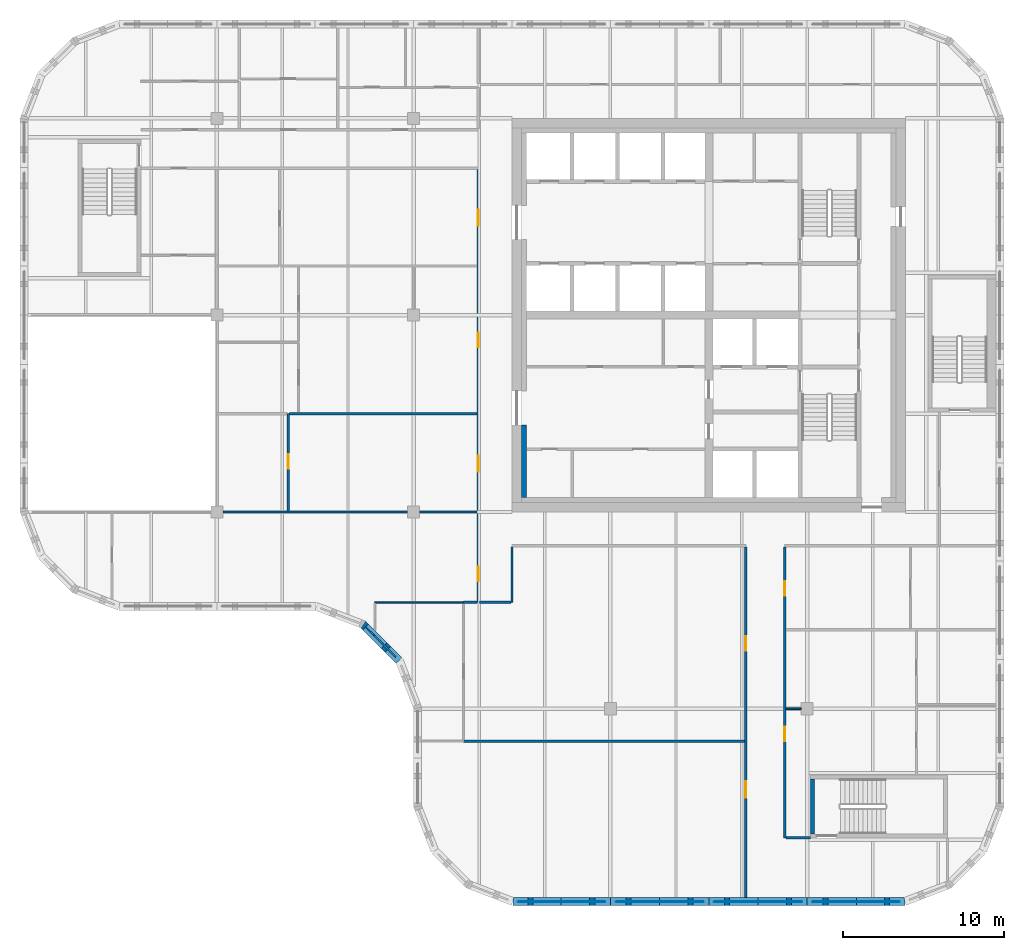
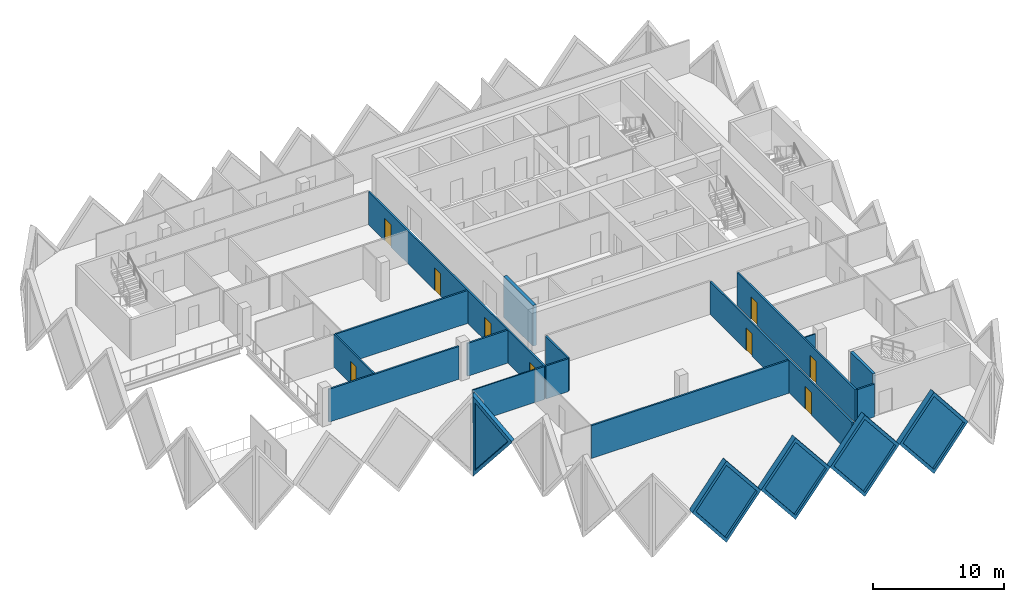
# One storey, part 4 of 11: 21 walls, 9 doors, 5 plates, 14 openings.
"""IFC4 building model written with IfcOpenShell, lengths in metres."""

import ifcopenshell
import ifcopenshell.guid

model = None  # the IFC model being written
_history = None  # IfcOwnerHistory: only IFC2X3 demands one
_inside = {}  # id of a spatial element -> (the spatial element, [elements in it])
_under = {}  # id of a project, library or spatial element -> (it, [spatial elements below it])
_declared = {}  # id of a project -> (the project, [libraries it declares])
_typed = {}  # id of a type object -> (the type object, [elements of that type])
_made_of = {}  # id of a material, layer set ... -> (it, [elements and type objects made of it])


def new_model(schema):
    """Start an empty IFC model of exactly this schema.

    Asked for "IFC4X3", IfcOpenShell would pick the latest addendum, in which some entities
    have other attributes; the version numbers below select the first issue.
    IFC2X3 requires an IfcOwnerHistory on every rooted entity: one is made here for all.
    """
    global model, _history
    if schema == "IFC4X3":
        model = ifcopenshell.file(schema_version=(4, 3, 0, 0))
    else:
        model = ifcopenshell.file(schema=schema)
    _inside.clear()
    _under.clear()
    _declared.clear()
    _typed.clear()
    _made_of.clear()
    _history = None
    if model.schema == "IFC2X3":
        org = make("IfcOrganization", Name="unknown")
        user = make(
            "IfcPersonAndOrganization",
            ThePerson=make("IfcPerson", FamilyName="unknown"),
            TheOrganization=org,
        )
        app = make(
            "IfcApplication",
            ApplicationDeveloper=org,
            Version="unknown",
            ApplicationFullName="unknown",
            ApplicationIdentifier="unknown",
        )
        _history = make(
            "IfcOwnerHistory",
            OwningUser=user,
            OwningApplication=app,
            ChangeAction="ADDED",
            CreationDate=0,
        )
    return model


def make(cls, **values):
    """One entity of the class cls with the attributes given. An attribute that is None is left unset."""
    return model.create_entity(
        cls, **{name: value for name, value in values.items() if value is not None}
    )


def rooted(cls, **values):
    """An entity with a GlobalId (a new one), such as an element, a storey or a relation."""
    return make(cls, GlobalId=ifcopenshell.guid.new(), OwnerHistory=_history, **values)


def si_unit(unit_type, name, prefix=None):
    """IfcSIUnit, for example si_unit("LENGTHUNIT", "METRE", prefix="MILLI")."""
    return make("IfcSIUnit", UnitType=unit_type, Prefix=prefix, Name=name)


def assignment(units):
    """IfcUnitAssignment: the units of a project."""
    return None if units is None else make("IfcUnitAssignment", Units=units)


def point(xyz):
    """IfcCartesianPoint."""
    return None if xyz is None else make("IfcCartesianPoint", Coordinates=xyz)


def direction(xyz):
    """IfcDirection."""
    return None if xyz is None else make("IfcDirection", DirectionRatios=xyz)


def frame(location, z_axis=None, x_axis=None):
    """IfcAxis2Placement3D, a coordinate frame: its origin and axes. An axis left out is left unset."""
    return make(
        "IfcAxis2Placement3D",
        Location=point(location),
        Axis=direction(z_axis),
        RefDirection=direction(x_axis),
    )


def frame_2d(location, x_axis=None):
    """IfcAxis2Placement2D, a coordinate frame in the plane: its origin and x axis."""
    return make(
        "IfcAxis2Placement2D", Location=point(location), RefDirection=direction(x_axis)
    )


def origin():
    """The frame at (0, 0, 0) with its axes left unset."""
    return frame((0.0, 0.0, 0.0))


def place(relative_to, where):
    """IfcLocalPlacement: puts the frame where relative to a parent placement (None: the world)."""
    return make(
        "IfcLocalPlacement", PlacementRelTo=relative_to, RelativePlacement=where
    )


def context(
    kind, dimensions, precision=None, world=None, true_north=None, identifier=None
):
    """IfcGeometricRepresentationContext, for example the 3D "Model" context."""
    return make(
        "IfcGeometricRepresentationContext",
        ContextIdentifier=identifier,
        ContextType=kind,
        CoordinateSpaceDimension=dimensions,
        Precision=precision,
        WorldCoordinateSystem=world,
        TrueNorth=true_north,
    )


def subcontext(parent, identifier, kind, view, scale=None):
    """IfcGeometricRepresentationSubContext, for example "Body" below "Model"."""
    return make(
        "IfcGeometricRepresentationSubContext",
        ContextIdentifier=identifier,
        ContextType=kind,
        ParentContext=parent,
        TargetScale=scale,
        TargetView=view,
    )


def project(units=None, contexts=None):
    """IfcProject with its units and contexts."""
    return rooted(
        "IfcProject",
        Name="project",
        RepresentationContexts=contexts,
        UnitsInContext=assignment(units),
    )


def spatial(cls, under=None, at=None, **own):
    """A site, building, storey or space (cls), placed at a placement, below another one or the project."""
    s = rooted(cls, ObjectPlacement=at, **own)
    if under is not None:
        _under.setdefault(under.id(), (under, []))[1].append(s)
    return s


def polyline(points):
    """IfcPolyline through the points."""
    return make("IfcPolyline", Points=[point(p) for p in points])


def profile(cls, at=None, kind="AREA", **sizes):
    """A parametric profile (cls). Its sizes go by their IFC names, for example OverallWidth=200.0."""
    return make(cls, ProfileType=kind, Position=at, **sizes)


def rectangle(**sizes):
    """IfcRectangleProfileDef."""
    return profile("IfcRectangleProfileDef", **sizes)


def outline(outer, holes=None, kind="AREA"):
    """IfcArbitraryClosedProfileDef: a profile drawn as a closed curve; with holes, ...WithVoids."""
    if holes is None:
        return make("IfcArbitraryClosedProfileDef", ProfileType=kind, OuterCurve=outer)
    return make(
        "IfcArbitraryProfileDefWithVoids",
        ProfileType=kind,
        OuterCurve=outer,
        InnerCurves=holes,
    )


def extrude(swept, where, along, depth):
    """IfcExtrudedAreaSolid: the profile swept, set in the frame where, extruded along a direction by depth."""
    return make(
        "IfcExtrudedAreaSolid",
        SweptArea=swept,
        Position=where,
        ExtrudedDirection=direction(along),
        Depth=depth,
    )


def faces_of(points, faces, orient=None, outer=None):
    """IfcFace entities. A face is a list of loops; a loop is a list of indices into points, from 0.

    orient and outer hold one flag for each loop. By default every Orientation is true, the
    first loop of a face is its IfcFaceOuterBound and the others are IfcFaceBound.
    """
    made = []
    for i, loops in enumerate(faces):
        bounds = []
        for j, loop in enumerate(loops):
            is_outer = j == 0 if outer is None else outer[i][j]
            bounds.append(
                make(
                    "IfcFaceOuterBound" if is_outer else "IfcFaceBound",
                    Bound=make("IfcPolyLoop", Polygon=[points[k] for k in loop]),
                    Orientation=True if orient is None else orient[i][j],
                )
            )
        made.append(make("IfcFace", Bounds=bounds))
    return made


def faceted_brep(points, faces, orient=None, outer=None, voids=None):
    """IfcFacetedBrep: a solid bounded by flat faces; with voids (closed shells), ...WithVoids."""
    shared = [point(p) for p in points]
    hull = make("IfcClosedShell", CfsFaces=faces_of(shared, faces, orient, outer))
    if voids is None:
        return make("IfcFacetedBrep", Outer=hull)
    return make(
        "IfcFacetedBrepWithVoids",
        Outer=hull,
        Voids=[
            make(cls, CfsFaces=faces_of(shared, fs, o, b)) for cls, fs, o, b in voids
        ],
    )


def shape(context_of_items, identifier, shape_type, items):
    """IfcShapeRepresentation: the items that make up one representation, for example the "Body"."""
    return make(
        "IfcShapeRepresentation",
        ContextOfItems=context_of_items,
        RepresentationIdentifier=identifier,
        RepresentationType=shape_type,
        Items=items,
    )


def source(mapping_origin, context_of_items, identifier, shape_type, items):
    """IfcRepresentationMap: a shape defined once, which mapped items show again and again."""
    return make(
        "IfcRepresentationMap",
        MappingOrigin=mapping_origin,
        MappedRepresentation=shape(context_of_items, identifier, shape_type, items),
    )


def transform(
    local_origin,
    x_axis=None,
    y_axis=None,
    z_axis=None,
    scale=None,
    scale2=None,
    scale3=None,
    uniform=True,
):
    """IfcCartesianTransformationOperator3D, or its non-uniform kind. x_axis, y_axis, z_axis: its Axis1, 2, 3."""
    if uniform:
        return make(
            "IfcCartesianTransformationOperator3D",
            Axis1=direction(x_axis),
            Axis2=direction(y_axis),
            LocalOrigin=point(local_origin),
            Scale=scale,
            Axis3=direction(z_axis),
        )
    return make(
        "IfcCartesianTransformationOperator3DnonUniform",
        Axis1=direction(x_axis),
        Axis2=direction(y_axis),
        LocalOrigin=point(local_origin),
        Scale=scale,
        Axis3=direction(z_axis),
        Scale2=scale2,
        Scale3=scale3,
    )


def mapped(mapping_source, mapping_target):
    """IfcMappedItem: shows the shape of a source again, moved by a transform."""
    return make(
        "IfcMappedItem", MappingSource=mapping_source, MappingTarget=mapping_target
    )


def material(Name=None, Category=None):
    """IfcMaterial."""
    return make("IfcMaterial", Name=Name, Category=Category)


def layer(
    of_material, thickness, ventilated=None, Name=None, Category=None, Priority=None
):
    """IfcMaterialLayer: one layer of a wall or slab, of a material (None: an air gap)."""
    return make(
        "IfcMaterialLayer",
        Material=of_material,
        LayerThickness=thickness,
        IsVentilated=ventilated,
        Name=Name,
        Category=Category,
        Priority=Priority,
    )


def layer_set(layers, Name=None):
    """IfcMaterialLayerSet."""
    return make("IfcMaterialLayerSet", MaterialLayers=layers, LayerSetName=Name)


def made_of(thing, what):
    """Note that an element or type object is made of a material, layer set ...; save() writes the relation."""
    if what is not None:
        _made_of.setdefault(what.id(), (what, []))[1].append(thing)
    return thing


def type_object(cls, material=None, **own):
    """A type object (cls), such as IfcWallType, which elements share."""
    return made_of(rooted(cls, **own), material)


def element(
    cls,
    number,
    at=None,
    inside=None,
    cuts=None,
    type_object=None,
    material=None,
    context=None,
    identifier="Body",
    shape_type=None,
    held_by="IfcProductDefinitionShape",
    body=None,
    shapes=None,
    **own,
):
    """One element of the class cls, such as IfcWall. Its Tag is "e" and its number.

    at: its placement. inside: the storey or other place that contains it. cuts: it is an
    opening in that element (IfcRelVoidsElement). A single representation is given by context,
    identifier, shape_type and body (its items); several are given by shapes. held_by: the class
    of the entity that holds the representations. save() writes the other relations.
    """
    e = rooted(cls, Tag="e%d" % number, ObjectPlacement=at, **own)
    if body is not None:
        shapes = [shape(context, identifier, shape_type, body)]
    if shapes is not None:
        e.Representation = make(held_by, Representations=shapes)
    if inside is not None:
        _inside.setdefault(inside.id(), (inside, []))[1].append(e)
    if cuts is not None:
        rooted(
            "IfcRelVoidsElement", RelatingBuildingElement=cuts, RelatedOpeningElement=e
        )
    if type_object is not None:
        _typed.setdefault(type_object.id(), (type_object, []))[1].append(e)
    return made_of(e, material)


def fill(opening, filler):
    """IfcRelFillsElement: the door or window that sits in an opening."""
    return rooted(
        "IfcRelFillsElement",
        RelatingOpeningElement=opening,
        RelatedBuildingElement=filler,
    )


def aggregate(whole, parts):
    """IfcRelAggregates: a whole, such as a stair, and the parts it consists of."""
    return rooted("IfcRelAggregates", RelatingObject=whole, RelatedObjects=parts)


def save(model, path):
    """Write the relations noted so far, then the file.

    IfcRelAggregates (storeys below a building ...), IfcRelContainedInSpatialStructure (elements
    in a storey), IfcRelDefinesByType, IfcRelAssociatesMaterial and IfcRelDeclares: one each for
    every whole, place, type object, material and project.
    """
    for whole, parts in _under.values():
        aggregate(whole, parts)
    for where, things in _inside.values():
        rooted(
            "IfcRelContainedInSpatialStructure",
            RelatedElements=things,
            RelatingStructure=where,
        )
    for kind, things in _typed.values():
        rooted("IfcRelDefinesByType", RelatedObjects=things, RelatingType=kind)
    for what, things in _made_of.values():
        rooted("IfcRelAssociatesMaterial", RelatedObjects=things, RelatingMaterial=what)
    for by, libraries in _declared.values():
        rooted("IfcRelDeclares", RelatingContext=by, RelatedDefinitions=libraries)
    model.write(path)


model = new_model("IFC4")

# Units and contexts
model_context = context("Model", 3, precision=1e-05, world=origin(), true_north=direction((0.0, 1.0)))
body_context = subcontext(model_context, "Body", "Model", "MODEL_VIEW")
ifc_project = project(units=[si_unit("LENGTHUNIT", "METRE"), si_unit("AREAUNIT", "SQUARE_METRE"), si_unit("VOLUMEUNIT", "CUBIC_METRE"), si_unit("PLANEANGLEUNIT", "RADIAN"), si_unit("MASSUNIT", "GRAM", prefix="KILO")], contexts=[model_context])

# Site, building, storey
site_placement = place(None, origin())
site = spatial("IfcSite", under=ifc_project, at=site_placement, CompositionType="ELEMENT")
building_placement = place(site_placement, origin())
building = spatial("IfcBuilding", under=site, at=building_placement, Name="Tessera Gate Towers", CompositionType="ELEMENT")
storey_placement = place(building_placement, frame((0.0, 0.0, 166.800048828125)))
storey = spatial("IfcBuildingStorey", under=building, at=storey_placement, Name="L41", CompositionType="ELEMENT", Elevation=166.800048828125)

# Walls
ifc_material_1 = material(Name="Concrete C40/50", Category="concrete")
ifc_layer_1 = layer(ifc_material_1, 0.25)
ifc_layer_set_1 = layer_set([ifc_layer_1], Name="CORE ENCLOSURE WALL 250")
wall_type_1 = type_object("IfcWallType", Name="CORE ENCLOSURE WALL 250", PredefinedType="SOLIDWALL", material=ifc_layer_set_1)
wall_1_placement = place(storey_placement, frame((49.125, 4.449951171875, 0.0), z_axis=(0.0, 0.0, 1.0), x_axis=(0.0, 1.0, 0.0)))
element("IfcWall", 1, at=wall_1_placement, inside=storey, type_object=wall_type_1, Name="L41 ST4 enclosure wall", PredefinedType="SOLIDWALL", context=body_context, shape_type="SweptSolid", body=[
    extrude(rectangle(XDim=3.400146484375, YDim=0.25, at=frame_2d((1.7001953125, 0.0))), origin(), (0.0, 0.0, 1.0), 3.800048828125),
])
ifc_material_2 = material(Name="Concrete C50/60", Category="concrete")
ifc_layer_2 = layer(ifc_material_2, 0.300048828125)
ifc_layer_set_2 = layer_set([ifc_layer_2], Name="CORE WALL THICKENING 300")
wall_type_2 = type_object("IfcWallType", Name="CORE WALL THICKENING 300", PredefinedType="SOLIDWALL", material=ifc_layer_set_2)
wall_2_placement = place(storey_placement, frame((31.25, 25.300048828125, 0.0), z_axis=(0.0, 0.0, 1.0), x_axis=(0.0, 1.0, 0.0)))
element("IfcWall", 2, at=wall_2_placement, inside=storey, type_object=wall_type_2, Name="Core wall thickening W L41", PredefinedType="SOLIDWALL", context=body_context, shape_type="SweptSolid", body=[
    extrude(rectangle(XDim=4.5, YDim=0.300048828125, at=frame_2d((2.25, 0.0))), origin(), (0.0, 0.0, 1.0), 3.800048828125),
])

# Wall, openings, doors
ifc_material_3 = material(Name="Gypsum board on steel studs, mineral wool", Category="steel")
ifc_layer_3 = layer(ifc_material_3, 0.14990234375)
ifc_layer_set_3 = layer_set([ifc_layer_3], Name="CORRIDOR WALL 150")
wall_type_3 = type_object("IfcWallType", Name="CORRIDOR WALL 150", PredefinedType="PARTITIONING", material=ifc_layer_set_3)
wall_3_placement = place(storey_placement, frame((45.0, 0.5, 0.0), z_axis=(0.0, 0.0, 1.0), x_axis=(0.0, 1.0, 0.0)))
wall_3 = element("IfcWall", 3, at=wall_3_placement, inside=storey, type_object=wall_type_3, Name="T1-L41-PW-001", PredefinedType="PARTITIONING", context=body_context, shape_type="SweptSolid", body=[
    extrude(rectangle(XDim=21.72412109375, YDim=0.14990234375, at=frame_2d((10.862060546875, 0.0))), origin(), (0.0, 0.0, 1.0), 3.06689453125),
])
shared_shape_1 = source(origin(), body_context, "Body", "SweptSolid", [
    extrude(rectangle(XDim=1.0, YDim=2.10009765625, at=frame_2d((0.5, 1.050048828125))), frame((0.0, 0.0849609375, 0.0), z_axis=(0.0, -1.0, 0.0), x_axis=(1.0, 0.0, 0.0)), (0.0, 0.0, 1.0), 0.169921875),
])
opening_1_placement = place(wall_3_placement, frame((6.199951171875, 0.0, 0.0)))
opening_1 = element("IfcOpeningElement", 4, at=opening_1_placement, cuts=wall_3, Name="Opening D2100FD60-A15-02", PredefinedType="OPENING", context=body_context, shape_type="MappedRepresentation", body=[
    mapped(shared_shape_1, transform((0.0, 0.0, 0.0), scale=1.0)),
])
shared_shape_2 = source(origin(), body_context, "Body", "SweptSolid", [
    extrude(rectangle(XDim=0.89990234375, YDim=2.10009765625, at=frame_2d((0.449951171875, 1.050048828125))), frame((0.0, 0.0849609375, 0.0), z_axis=(0.0, -1.0, 0.0), x_axis=(1.0, 0.0, 0.0)), (0.0, 0.0, 1.0), 0.169921875),
])
opening_2_placement = place(wall_3_placement, frame((15.300048828125, 0.0, 0.0)))
opening_2 = element("IfcOpeningElement", 5, at=opening_2_placement, cuts=wall_3, Name="Opening D890FD60-A15-09", PredefinedType="OPENING", context=body_context, shape_type="MappedRepresentation", body=[
    mapped(shared_shape_2, transform((0.0, 0.0, 0.0), scale=1.0)),
])
ifc_material_4 = material(Name="Timber door leaf in steel frame", Category="steel")
door_type_1 = type_object("IfcDoorType", Name="CORRIDOR DOOR 900 FD60", OperationType="NOTDEFINED", PredefinedType="DOOR", material=ifc_material_4)
shared_shape_3 = source(origin(), body_context, "Body", "SweptSolid", [
    extrude(rectangle(XDim=0.89990234375, YDim=2.10009765625, at=frame_2d((0.449951171875, 1.050048828125))), frame((0.0, 0.02490234375, 0.0), z_axis=(0.0, -1.0, 0.0), x_axis=(1.0, 0.0, 0.0)), (0.0, 0.0, 1.0), 0.050048828125),
])
door_1_placement = place(opening_2_placement, origin())
door_1 = element("IfcDoor", 6, at=door_1_placement, inside=storey, type_object=door_type_1, Name="T1-L41-PD-026", OperationType="SINGLE_SWING_LEFT", OverallHeight=2.10009765625, OverallWidth=0.89990234375, PredefinedType="DOOR", context=body_context, shape_type="MappedRepresentation", body=[
    mapped(shared_shape_3, transform((0.0, 0.0, 0.0), scale=1.0)),
])
fill(opening_2, door_1)
ifc_material_5 = material(Name="Timber door leaf in steel frame", Category="steel")
door_type_2 = type_object("IfcDoorType", Name="TENANCY ENTRANCE DOOR 1000 FD60", OperationType="NOTDEFINED", PredefinedType="DOOR", material=ifc_material_5)
shared_shape_4 = source(origin(), body_context, "Body", "SweptSolid", [
    extrude(rectangle(XDim=1.0, YDim=2.10009765625, at=frame_2d((0.5, 1.050048828125))), frame((0.0, 0.02490234375, 0.0), z_axis=(0.0, -1.0, 0.0), x_axis=(1.0, 0.0, 0.0)), (0.0, 0.0, 1.0), 0.050048828125),
])
door_2_placement = place(opening_1_placement, origin())
door_2 = element("IfcDoor", 7, at=door_2_placement, inside=storey, type_object=door_type_2, Name="T1-L41-PD-016", OperationType="SINGLE_SWING_LEFT", OverallHeight=2.10009765625, OverallWidth=1.0, PredefinedType="DOOR", context=body_context, shape_type="MappedRepresentation", body=[
    mapped(shared_shape_4, transform((0.0, 0.0, 0.0), scale=1.0)),
])
fill(opening_1, door_2)

wall_4_placement = place(storey_placement, frame((47.39990234375, 22.22412109375, 0.0), z_axis=(0.0, 0.0, 1.0), x_axis=(0.0, -1.0, 0.0)))
wall_4 = element("IfcWall", 8, at=wall_4_placement, inside=storey, type_object=wall_type_3, Name="T1-L41-PW-003", PredefinedType="PARTITIONING", context=body_context, shape_type="SweptSolid", body=[
    extrude(rectangle(XDim=18.024169921875, YDim=0.14990234375, at=frame_2d((9.01220703125, 0.0))), origin(), (0.0, 0.0, 1.0), 3.06689453125),
])
opening_3_placement = place(wall_4_placement, frame((2.123046875, 0.0, 0.0)))
opening_3 = element("IfcOpeningElement", 9, at=opening_3_placement, cuts=wall_4, Name="Opening D890FD60-A15-03", PredefinedType="OPENING", context=body_context, shape_type="MappedRepresentation", body=[
    mapped(shared_shape_2, transform((0.0, 0.0, 0.0), scale=1.0)),
])
opening_4_placement = place(wall_4_placement, frame((11.1240234375, 0.0, 0.0)))
opening_4 = element("IfcOpeningElement", 10, at=opening_4_placement, cuts=wall_4, Name="Opening D890FD60-A15-10", PredefinedType="OPENING", context=body_context, shape_type="MappedRepresentation", body=[
    mapped(shared_shape_2, transform((0.0, 0.0, 0.0), scale=1.0)),
])
door_3_placement = place(opening_3_placement, origin())
door_3 = element("IfcDoor", 11, at=door_3_placement, inside=storey, type_object=door_type_1, Name="T1-L41-PD-011", OperationType="SINGLE_SWING_RIGHT", OverallHeight=2.10009765625, OverallWidth=0.89990234375, PredefinedType="DOOR", context=body_context, shape_type="MappedRepresentation", body=[
    mapped(shared_shape_3, transform((0.0, 0.0, 0.0), scale=1.0)),
])
fill(opening_3, door_3)
door_4_placement = place(opening_4_placement, origin())
door_4 = element("IfcDoor", 12, at=door_4_placement, inside=storey, type_object=door_type_1, Name="T1-L41-PD-027", OperationType="SINGLE_SWING_RIGHT", OverallHeight=2.10009765625, OverallWidth=0.89990234375, PredefinedType="DOOR", context=body_context, shape_type="MappedRepresentation", body=[
    mapped(shared_shape_3, transform((0.0, 0.0, 0.0), scale=1.0)),
])
fill(opening_4, door_4)

# Wall
wall_5_placement = place(storey_placement, frame((47.47607421875, 4.199951171875, 0.0), z_axis=(0.0, 0.0, 1.0), x_axis=(1.0, 0.0, 0.0)))
element("IfcWall", 13, at=wall_5_placement, inside=storey, type_object=wall_type_3, Name="T1-L41-PW-004", PredefinedType="PARTITIONING", context=body_context, shape_type="SweptSolid", body=[
    extrude(rectangle(XDim=1.52392578125, YDim=0.14990234375, at=frame_2d((0.761962890625, 0.0))), origin(), (0.0, 0.0, 1.0), 3.06689453125),
])

# Wall, openings, doors
wall_6_placement = place(storey_placement, frame((28.39990234375, 18.800048828125, 0.0), z_axis=(0.0, 0.0, 1.0), x_axis=(0.0, 1.0, 0.0)))
wall_6 = element("IfcWall", 14, at=wall_6_placement, inside=storey, type_object=wall_type_3, Name="T1-L41-PW-017", PredefinedType="PARTITIONING", context=body_context, shape_type="SweptSolid", body=[
    extrude(rectangle(XDim=26.823974609375, YDim=0.14990234375, at=frame_2d((13.412109375, 0.0))), origin(), (0.0, 0.0, 1.0), 3.06689453125),
])
opening_5_placement = place(wall_6_placement, frame((1.300048828125, 0.0, 0.0)))
opening_5 = element("IfcOpeningElement", 15, at=opening_5_placement, cuts=wall_6, Name="Opening D890FD60-A15-01", PredefinedType="OPENING", context=body_context, shape_type="MappedRepresentation", body=[
    mapped(shared_shape_2, transform((0.0, 0.0, 0.0), scale=1.0)),
])
opening_6_placement = place(wall_6_placement, frame((23.35107421875, 0.0, 0.0)))
opening_6 = element("IfcOpeningElement", 16, at=opening_6_placement, cuts=wall_6, Name="Opening D2100FD60-A15-01", PredefinedType="OPENING", context=body_context, shape_type="MappedRepresentation", body=[
    mapped(shared_shape_1, transform((0.0, 0.0, 0.0), scale=1.0)),
])
opening_7_placement = place(wall_6_placement, frame((8.10009765625, 0.0, 0.0)))
opening_7 = element("IfcOpeningElement", 17, at=opening_7_placement, cuts=wall_6, Name="Opening D2100FD60-A15-03", PredefinedType="OPENING", context=body_context, shape_type="MappedRepresentation", body=[
    mapped(shared_shape_1, transform((0.0, 0.0, 0.0), scale=1.0)),
])
opening_8_placement = place(wall_6_placement, frame((15.800048828125, 0.0, 0.0)))
opening_8 = element("IfcOpeningElement", 18, at=opening_8_placement, cuts=wall_6, Name="Opening D890FD60-A15-08", PredefinedType="OPENING", context=body_context, shape_type="MappedRepresentation", body=[
    mapped(shared_shape_2, transform((0.0, 0.0, 0.0), scale=1.0)),
])
door_5_placement = place(opening_5_placement, origin())
door_5 = element("IfcDoor", 19, at=door_5_placement, inside=storey, type_object=door_type_1, Name="T1-L41-PD-001", OperationType="SINGLE_SWING_LEFT", OverallHeight=2.10009765625, OverallWidth=0.89990234375, PredefinedType="DOOR", context=body_context, shape_type="MappedRepresentation", body=[
    mapped(shared_shape_3, transform((0.0, 0.0, 0.0), scale=1.0)),
])
fill(opening_5, door_5)
door_6_placement = place(opening_8_placement, origin())
door_6 = element("IfcDoor", 20, at=door_6_placement, inside=storey, type_object=door_type_1, Name="T1-L41-PD-025", OperationType="SINGLE_SWING_LEFT", OverallHeight=2.10009765625, OverallWidth=0.89990234375, PredefinedType="DOOR", context=body_context, shape_type="MappedRepresentation", body=[
    mapped(shared_shape_3, transform((0.0, 0.0, 0.0), scale=1.0)),
])
fill(opening_8, door_6)
door_7_placement = place(opening_6_placement, origin())
door_7 = element("IfcDoor", 21, at=door_7_placement, inside=storey, type_object=door_type_2, Name="T1-L41-PD-014", OperationType="SINGLE_SWING_LEFT", OverallHeight=2.10009765625, OverallWidth=1.0, PredefinedType="DOOR", context=body_context, shape_type="MappedRepresentation", body=[
    mapped(shared_shape_4, transform((0.0, 0.0, 0.0), scale=1.0)),
])
fill(opening_6, door_7)
door_8_placement = place(opening_7_placement, origin())
door_8 = element("IfcDoor", 22, at=door_8_placement, inside=storey, type_object=door_type_2, Name="T1-L41-PD-020", OperationType="SINGLE_SWING_LEFT", OverallHeight=2.10009765625, OverallWidth=1.0, PredefinedType="DOOR", context=body_context, shape_type="MappedRepresentation", body=[
    mapped(shared_shape_4, transform((0.0, 0.0, 0.0), scale=1.0)),
])
fill(opening_7, door_8)

# Walls
wall_7_placement = place(storey_placement, frame((28.47607421875, 18.800048828125, 0.0), z_axis=(0.0, 0.0, 1.0), x_axis=(1.0, 0.0, 0.0)))
element("IfcWall", 23, at=wall_7_placement, inside=storey, type_object=wall_type_3, Name="T1-L41-PW-018", PredefinedType="PARTITIONING", context=body_context, shape_type="SweptSolid", body=[
    extrude(rectangle(XDim=1.947998046875, YDim=0.14990234375, at=frame_2d((0.97412109375, 0.0))), origin(), (0.0, 0.0, 1.0), 3.06689453125),
])
wall_8_placement = place(storey_placement, frame((30.5, 18.800048828125, 0.0), z_axis=(0.0, 0.0, 1.0), x_axis=(0.0, 1.0, 0.0)))
element("IfcWall", 24, at=wall_8_placement, inside=storey, type_object=wall_type_3, Name="T1-L41-PW-019", PredefinedType="PARTITIONING", context=body_context, shape_type="SweptSolid", body=[
    extrude(rectangle(XDim=3.424072265625, YDim=0.14990234375, at=frame_2d((1.7119140625, 0.0))), origin(), (0.0, 0.0, 1.0), 3.06689453125),
])
ifc_material_6 = material(Name="Glass", Category="glass")
ifc_layer_4 = layer(ifc_material_6, 0.10009765625)
ifc_layer_set_4 = layer_set([ifc_layer_4], Name="GLAZED PARTITION 100")
wall_type_4 = type_object("IfcWallType", Name="GLAZED PARTITION 100", PredefinedType="PARTITIONING", material=ifc_layer_set_4)
wall_9_placement = place(storey_placement, frame((22.0, 18.800048828125, 0.0), z_axis=(0.0, 0.0, 1.0), x_axis=(1.0, 0.0, 0.0)))
element("IfcWall", 25, at=wall_9_placement, inside=storey, type_object=wall_type_4, Name="T1-L41-PW-015", PredefinedType="PARTITIONING", context=body_context, shape_type="SweptSolid", body=[
    extrude(rectangle(XDim=5.4990234375, YDim=0.10009765625, at=frame_2d((2.74951171875, 0.0))), origin(), (0.0, 0.0, 1.0), 3.06689453125),
])
ifc_material_7 = material(Name="Gypsum board on steel studs", Category="steel")
ifc_layer_5 = layer(ifc_material_7, 0.10009765625)
ifc_layer_set_5 = layer_set([ifc_layer_5], Name="PARTITION 100")
wall_type_5 = type_object("IfcWallType", Name="PARTITION 100", PredefinedType="PARTITIONING", material=ifc_layer_set_5)
wall_10_placement = place(storey_placement, frame((48.425048828125, 12.199951171875, 0.0), z_axis=(0.0, 0.0, 1.0), x_axis=(-1.0, 0.0, 0.0)))
element("IfcWall", 26, at=wall_10_placement, inside=storey, type_object=wall_type_5, Name="T1-L41-PW-009", PredefinedType="PARTITIONING", context=body_context, shape_type="SweptSolid", body=[
    extrude(rectangle(XDim=0.949951171875, YDim=0.10009765625, at=frame_2d((0.47509765625, 0.0))), origin(), (0.0, 0.0, 1.0), 3.06689453125),
])
ifc_material_8 = material(Name="Gypsum board on steel studs, mineral wool", Category="steel")
ifc_layer_6 = layer(ifc_material_8, 0.14990234375)
ifc_layer_set_6 = layer_set([ifc_layer_6], Name="TENANCY WALL 150")
wall_type_6 = type_object("IfcWallType", Name="TENANCY WALL 150", PredefinedType="PARTITIONING", material=ifc_layer_set_6)
wall_11_placement = place(storey_placement, frame((27.5, 10.199951171875, 0.0), z_axis=(0.0, 0.0, 1.0), x_axis=(1.0, 0.0, 0.0)))
element("IfcWall", 27, at=wall_11_placement, inside=storey, type_object=wall_type_6, Name="T1-L41-PW-007", PredefinedType="PARTITIONING", context=body_context, shape_type="SweptSolid", body=[
    extrude(rectangle(XDim=17.424072265625, YDim=0.14990234375, at=frame_2d((8.7119140625, 0.0))), origin(), (0.0, 0.0, 1.0), 3.06689453125),
])
wall_12_placement = place(storey_placement, frame((27.5, 18.800048828125, 0.0), z_axis=(0.0, 0.0, 1.0), x_axis=(1.0, 0.0, 0.0)))
element("IfcWall", 28, at=wall_12_placement, inside=storey, type_object=wall_type_6, Name="T1-L41-PW-016", PredefinedType="PARTITIONING", context=body_context, shape_type="SweptSolid", body=[
    extrude(rectangle(XDim=0.823974609375, YDim=0.14990234375, at=frame_2d((0.412109375, 0.0))), origin(), (0.0, 0.0, 1.0), 3.06689453125),
])
wall_13_placement = place(storey_placement, frame((12.575927734375, 24.39990234375, 0.0), z_axis=(0.0, 0.0, 1.0), x_axis=(1.0, 0.0, 0.0)))
element("IfcWall", 29, at=wall_13_placement, inside=storey, type_object=wall_type_6, Name="T1-L41-PW-025", PredefinedType="PARTITIONING", context=body_context, shape_type="SweptSolid", body=[
    extrude(rectangle(XDim=11.447998046875, YDim=0.14990234375, at=frame_2d((5.72412109375, 0.0))), origin(), (0.0, 0.0, 1.0), 3.06689453125),
])
wall_14_placement = place(storey_placement, frame((24.77587890625, 24.39990234375, 0.0), z_axis=(0.0, 0.0, 1.0), x_axis=(1.0, 0.0, 0.0)))
element("IfcWall", 30, at=wall_14_placement, inside=storey, type_object=wall_type_6, Name="T1-L41-PW-026", PredefinedType="PARTITIONING", context=body_context, shape_type="SweptSolid", body=[
    extrude(rectangle(XDim=3.548095703125, YDim=0.14990234375, at=frame_2d((1.77392578125, 0.0))), origin(), (0.0, 0.0, 1.0), 3.06689453125),
])

# Wall, opening, door
wall_15_placement = place(storey_placement, frame((16.625, 24.47607421875, 0.0), z_axis=(0.0, 0.0, 1.0), x_axis=(0.0, 1.0, 0.0)))
wall_15 = element("IfcWall", 31, at=wall_15_placement, inside=storey, type_object=wall_type_6, Name="T1-L41-PW-027", PredefinedType="PARTITIONING", context=body_context, shape_type="SweptSolid", body=[
    extrude(rectangle(XDim=6.02392578125, YDim=0.14990234375, at=frame_2d((3.011962890625, 0.0))), origin(), (0.0, 0.0, 1.0), 3.06689453125),
])
opening_9_placement = place(wall_15_placement, frame((2.60009765625, 0.0, 0.0)))
opening_9 = element("IfcOpeningElement", 32, at=opening_9_placement, cuts=wall_15, Name="Opening D190-A15-12", PredefinedType="OPENING", context=body_context, shape_type="MappedRepresentation", body=[
    mapped(shared_shape_2, transform((0.0, 0.0, 0.0), scale=1.0)),
])
ifc_material_9 = material(Name="Timber door leaf in steel frame", Category="steel")
door_type_3 = type_object("IfcDoorType", Name="INTERNAL DOOR 900 NOT RATED", OperationType="NOTDEFINED", PredefinedType="DOOR", material=ifc_material_9)
door_9_placement = place(opening_9_placement, origin())
door_9 = element("IfcDoor", 33, at=door_9_placement, inside=storey, type_object=door_type_3, Name="T1-L41-PD-018", OperationType="SINGLE_SWING_LEFT", OverallHeight=2.10009765625, OverallWidth=0.89990234375, PredefinedType="DOOR", context=body_context, shape_type="MappedRepresentation", body=[
    mapped(shared_shape_3, transform((0.0, 0.0, 0.0), scale=1.0)),
])
fill(opening_9, door_9)

# Wall
wall_16_placement = place(storey_placement, frame((16.700927734375, 30.5, 0.0), z_axis=(0.0, 0.0, 1.0), x_axis=(1.0, 0.0, 0.0)))
element("IfcWall", 34, at=wall_16_placement, inside=storey, type_object=wall_type_6, Name="T1-L41-PW-029", PredefinedType="PARTITIONING", context=body_context, shape_type="SweptSolid", body=[
    extrude(rectangle(XDim=11.623046875, YDim=0.14990234375, at=frame_2d((5.8115234375, 0.0))), origin(), (0.0, 0.0, 1.0), 3.06689453125),
])

# Wall, opening, plate
ifc_material_10 = material(Name="Precast concrete C60/75 white", Category="concrete")
ifc_layer_7 = layer(ifc_material_10, 0.5)
ifc_layer_set_7 = layer_set([ifc_layer_7], Name="TS1 tessera")
wall_type_7 = type_object("IfcWallType", Name="TS1 tessera", PredefinedType="SOLIDWALL", material=ifc_layer_set_7)
shared_shape_5 = source(origin(), body_context, "Body", "Brep", [
    faceted_brep([(3.00341796875, -0.25, 0.0), (6.053466796875, -0.25, 3.800048828125), (3.00341796875, -0.25, 7.60009765625), (0.0, -0.25, 3.800048828125), (0.046630859375, 0.25, 3.85888671875), (3.00341796875, 0.25, 7.60009765625), (6.053466796875, 0.25, 3.800048828125), (3.00341796875, 0.25, 0.0), (0.046630859375, 0.25, 3.7412109375), (0.0, 0.0, 3.800048828125)], [[[0, 1, 2, 3]], [[4, 5, 6, 7, 8]], [[7, 6, 1, 0]], [[6, 5, 2, 1]], [[5, 4, 9, 3, 2]], [[8, 7, 0, 3, 9]], [[8, 9, 4]]]),
])
wall_17_placement = place(storey_placement, frame((30.546630859375, 0.25, -3.800048828125), z_axis=(0.0, 0.0, 1.0), x_axis=(1.0, 0.0, 0.0)))
wall_17 = element("IfcWall", 35, at=wall_17_placement, inside=storey, type_object=wall_type_7, Name="Precast tessera T1 TS1-0690", PredefinedType="SOLIDWALL", context=body_context, shape_type="MappedRepresentation", body=[
    mapped(shared_shape_5, transform((0.0, 0.0, 0.0), scale=1.0)),
])
shared_shape_6 = source(origin(), body_context, "Body", "SweptSolid", [
    extrude(outline(polyline([(3.0048828125, 0.4013671875), (5.73291015625, 3.800048828125), (3.0048828125, 7.19873046875), (0.318603515625, 3.800048828125), (3.0048828125, 0.4013671875)])), frame((0.0, 0.260009765625, 0.0), z_axis=(0.0, -1.0, 0.0), x_axis=(1.0, 0.0, 0.0)), (0.0, 0.0, 1.0), 0.52001953125),
])
opening_10_placement = place(wall_17_placement, origin())
opening_10 = element("IfcOpeningElement", 36, at=opening_10_placement, cuts=wall_17, Name="Opening T1-PL2-1410", PredefinedType="OPENING", context=body_context, shape_type="MappedRepresentation", body=[
    mapped(shared_shape_6, transform((0.0, 0.0, 0.0), scale=1.0)),
])
ifc_material_11 = material(Name="Low-e laminated glass", Category="glass")
ifc_layer_8 = layer(ifc_material_11, 0.06005859375)
ifc_layer_set_8 = layer_set([ifc_layer_8], Name="PL2 rhombic pane")
plate_type = type_object("IfcPlateType", Name="PL2 rhombic pane", PredefinedType="SHEET", material=ifc_layer_set_8)
shared_shape_7 = source(origin(), body_context, "Body", "SweptSolid", [
    extrude(outline(polyline([(3.0048828125, 0.4013671875), (5.73291015625, 3.800048828125), (3.0048828125, 7.19873046875), (0.318603515625, 3.800048828125), (3.0048828125, 0.4013671875)])), frame((0.0, 0.030029296875, 0.0), z_axis=(0.0, -1.0, 0.0), x_axis=(1.0, 0.0, 0.0)), (0.0, 0.0, 1.0), 0.06005859375),
])
plate_1_placement = place(opening_10_placement, origin())
plate_1 = element("IfcPlate", 37, at=plate_1_placement, inside=storey, type_object=plate_type, Name="Glass pane T1 PL2-1410", PredefinedType="SHEET", context=body_context, shape_type="MappedRepresentation", body=[
    mapped(shared_shape_7, transform((0.0, 0.0, 0.0), scale=1.0)),
])
fill(opening_10, plate_1)

shared_shape_8 = source(origin(), body_context, "Body", "Brep", [
    faceted_brep([(3.050048828125, -0.25, 0.0), (6.099853515625, -0.25, 3.7998046875), (6.099853515625, -0.25, 3.80029296875), (3.050048828125, -0.25, 7.60009765625), (0.0, -0.25, 3.800048828125), (0.0, 0.25, 3.800048828125), (3.050048828125, 0.25, 7.60009765625), (6.099853515625, 0.25, 3.80029296875), (6.099853515625, 0.25, 3.7998046875), (3.050048828125, 0.25, 0.0)], [[[0, 1, 2, 3, 4]], [[5, 6, 7, 8, 9]], [[9, 8, 1, 0]], [[7, 6, 3, 2]], [[6, 5, 4, 3]], [[5, 9, 0, 4]], [[1, 8, 7, 2]]]),
])
wall_18_placement = place(storey_placement, frame((36.60009765625, 0.25, -3.800048828125), z_axis=(0.0, 0.0, 1.0), x_axis=(1.0, 0.0, 0.0)))
wall_18 = element("IfcWall", 38, at=wall_18_placement, inside=storey, type_object=wall_type_7, Name="Precast tessera T1 TS1-0691", PredefinedType="SOLIDWALL", context=body_context, shape_type="MappedRepresentation", body=[
    mapped(shared_shape_8, transform((0.0, 0.0, 0.0), scale=1.0)),
])
shared_shape_9 = source(origin(), body_context, "Body", "SweptSolid", [
    extrude(outline(polyline([(3.050048828125, 0.3994140625), (5.779541015625, 3.800048828125), (3.050048828125, 7.20068359375), (0.320556640625, 3.800048828125), (3.050048828125, 0.3994140625)])), frame((0.0, 0.260009765625, 0.0), z_axis=(0.0, -1.0, 0.0), x_axis=(1.0, 0.0, 0.0)), (0.0, 0.0, 1.0), 0.52001953125),
])
opening_11_placement = place(wall_18_placement, origin())
opening_11 = element("IfcOpeningElement", 39, at=opening_11_placement, cuts=wall_18, Name="Opening T1-PL2-1411", PredefinedType="OPENING", context=body_context, shape_type="MappedRepresentation", body=[
    mapped(shared_shape_9, transform((0.0, 0.0, 0.0), scale=1.0)),
])
shared_shape_10 = source(origin(), body_context, "Body", "SweptSolid", [
    extrude(outline(polyline([(3.050048828125, 0.3994140625), (5.779541015625, 3.800048828125), (3.050048828125, 7.20068359375), (0.320556640625, 3.800048828125), (3.050048828125, 0.3994140625)])), frame((0.0, 0.030029296875, 0.0), z_axis=(0.0, -1.0, 0.0), x_axis=(1.0, 0.0, 0.0)), (0.0, 0.0, 1.0), 0.06005859375),
])
plate_2_placement = place(opening_11_placement, origin())
plate_2 = element("IfcPlate", 40, at=plate_2_placement, inside=storey, type_object=plate_type, Name="Glass pane T1 PL2-1411", PredefinedType="SHEET", context=body_context, shape_type="MappedRepresentation", body=[
    mapped(shared_shape_10, transform((0.0, 0.0, 0.0), scale=1.0)),
])
fill(opening_11, plate_2)

shared_shape_11 = source(origin(), body_context, "Body", "SweptSolid", [
    extrude(outline(polyline([(3.050048828125, 0.0), (6.10009765625, 3.800048828125), (3.050048828125, 7.60009765625), (0.0, 3.800048828125), (3.050048828125, 0.0)])), frame((0.0, 0.25, 0.0), z_axis=(0.0, -1.0, 0.0), x_axis=(1.0, 0.0, 0.0)), (0.0, 0.0, 1.0), 0.5),
])
wall_19_placement = place(storey_placement, frame((42.699951171875, 0.25, -3.800048828125), z_axis=(0.0, 0.0, 1.0), x_axis=(1.0, 0.0, 0.0)))
wall_19 = element("IfcWall", 41, at=wall_19_placement, inside=storey, type_object=wall_type_7, Name="Precast tessera T1 TS1-0692", PredefinedType="SOLIDWALL", context=body_context, shape_type="MappedRepresentation", body=[
    mapped(shared_shape_11, transform((0.0, 0.0, 0.0), scale=1.0)),
])
opening_12_placement = place(wall_19_placement, origin())
opening_12 = element("IfcOpeningElement", 42, at=opening_12_placement, cuts=wall_19, Name="Opening T1-PL2-1412", PredefinedType="OPENING", context=body_context, shape_type="MappedRepresentation", body=[
    mapped(shared_shape_9, transform((0.0, 0.0, 0.0), scale=1.0)),
])
plate_3_placement = place(opening_12_placement, origin())
plate_3 = element("IfcPlate", 43, at=plate_3_placement, inside=storey, type_object=plate_type, Name="Glass pane T1 PL2-1412", PredefinedType="SHEET", context=body_context, shape_type="MappedRepresentation", body=[
    mapped(shared_shape_10, transform((0.0, 0.0, 0.0), scale=1.0)),
])
fill(opening_12, plate_3)

shared_shape_12 = source(origin(), body_context, "Body", "Brep", [
    faceted_brep([(3.050048828125, -0.25, 0.0), (6.053466796875, -0.25, 3.800048828125), (3.050048828125, -0.25, 7.60009765625), (0.0, -0.25, 3.800048828125), (0.0, 0.25, 3.800048828125), (3.050048828125, 0.25, 7.60009765625), (6.0068359375, 0.25, 3.85888671875), (6.0068359375, 0.25, 3.7412109375), (3.050048828125, 0.25, 0.0), (6.053466796875, 0.0, 3.800048828125)], [[[0, 1, 2, 3]], [[4, 5, 6, 7, 8]], [[8, 7, 9, 1, 0]], [[6, 5, 2, 1, 9]], [[5, 4, 3, 2]], [[4, 8, 0, 3]], [[9, 7, 6]]]),
])
wall_20_placement = place(storey_placement, frame((48.800048828125, 0.25, -3.800048828125), z_axis=(0.0, 0.0, 1.0), x_axis=(1.0, 0.0, 0.0)))
wall_20 = element("IfcWall", 44, at=wall_20_placement, inside=storey, type_object=wall_type_7, Name="Precast tessera T1 TS1-0693", PredefinedType="SOLIDWALL", context=body_context, shape_type="MappedRepresentation", body=[
    mapped(shared_shape_12, transform((0.0, 0.0, 0.0), scale=1.0)),
])
shared_shape_13 = source(origin(), body_context, "Body", "SweptSolid", [
    extrude(outline(polyline([(3.048583984375, 0.4013671875), (5.73486328125, 3.800048828125), (3.048583984375, 7.19873046875), (0.320556640625, 3.800048828125), (3.048583984375, 0.4013671875)])), frame((0.0, 0.260009765625, 0.0), z_axis=(0.0, -1.0, 0.0), x_axis=(1.0, 0.0, 0.0)), (0.0, 0.0, 1.0), 0.52001953125),
])
opening_13_placement = place(wall_20_placement, origin())
opening_13 = element("IfcOpeningElement", 45, at=opening_13_placement, cuts=wall_20, Name="Opening T1-PL2-1413", PredefinedType="OPENING", context=body_context, shape_type="MappedRepresentation", body=[
    mapped(shared_shape_13, transform((0.0, 0.0, 0.0), scale=1.0)),
])
shared_shape_14 = source(origin(), body_context, "Body", "SweptSolid", [
    extrude(outline(polyline([(3.048583984375, 0.4013671875), (5.73486328125, 3.800048828125), (3.048583984375, 7.19873046875), (0.320556640625, 3.800048828125), (3.048583984375, 0.4013671875)])), frame((0.0, 0.030029296875, 0.0), z_axis=(0.0, -1.0, 0.0), x_axis=(1.0, 0.0, 0.0)), (0.0, 0.0, 1.0), 0.06005859375),
])
plate_4_placement = place(opening_13_placement, origin())
plate_4 = element("IfcPlate", 46, at=plate_4_placement, inside=storey, type_object=plate_type, Name="Glass pane T1 PL2-1413", PredefinedType="SHEET", context=body_context, shape_type="MappedRepresentation", body=[
    mapped(shared_shape_14, transform((0.0, 0.0, 0.0), scale=1.0)),
])
fill(opening_13, plate_4)

ifc_material_12 = material(Name="Precast concrete C60/75 white", Category="concrete")
ifc_layer_9 = layer(ifc_material_12, 0.5)
ifc_layer_set_9 = layer_set([ifc_layer_9], Name="TS3 corner tessera")
wall_type_8 = type_object("IfcWallType", Name="TS3 corner tessera", PredefinedType="SOLIDWALL", material=ifc_layer_set_9)
shared_shape_15 = source(origin(), body_context, "Body", "Brep", [
    faceted_brep([(0.10595703125, -0.25, 0.063720703125), (3.156005859375, -0.25, 3.736328125), (3.156005859375, -0.25, 3.86376953125), (0.10595703125, -0.25, 7.536376953125), (0.0, 0.25, 7.5361328125), (0.052978515625, 0.25, 7.60009765625), (3.208740234375, 0.25, 3.800048828125), (0.052978515625, 0.25, 0.0), (0.0, 0.25, 0.06396484375), (3.208740234375, -0.00048828125, 3.800048828125), (0.052978515625, 0.0, 0.0), (0.052978515625, 0.0, 7.60009765625)], [[[0, 1, 2, 3]], [[4, 5, 6, 7, 8]], [[7, 6, 9, 1, 0, 10]], [[6, 5, 11, 3, 2, 9]], [[5, 4, 11]], [[8, 7, 10]], [[8, 10, 0, 3, 11, 4]], [[1, 9, 2]]]),
])
wall_21_placement = place(storey_placement, frame((21.24755859375, 17.453857421875, -3.800048828125), z_axis=(0.0, 0.0, 1.0), x_axis=(0.707106781187, -0.707106781187, 0.0)))
wall_21 = element("IfcWall", 47, at=wall_21_placement, inside=storey, type_object=wall_type_8, Name="Precast corner tessera T1 TS3-0954", PredefinedType="SOLIDWALL", context=body_context, shape_type="MappedRepresentation", body=[
    mapped(shared_shape_15, transform((0.0, 0.0, 0.0), scale=1.0)),
])
shared_shape_16 = source(origin(), body_context, "Body", "SweptSolid", [
    extrude(outline(polyline([(0.2529296875, 0.632080078125), (2.8837890625, 3.800048828125), (0.2529296875, 6.9677734375), (0.2529296875, 0.632080078125)])), frame((0.0, 0.260009765625, 0.0), z_axis=(0.0, -1.0, 0.0), x_axis=(1.0, 0.0, 0.0)), (0.0, 0.0, 1.0), 0.52001953125),
])
opening_14_placement = place(wall_21_placement, origin())
opening_14 = element("IfcOpeningElement", 48, at=opening_14_placement, cuts=wall_21, Name="Opening T1-PL2-1450", PredefinedType="OPENING", context=body_context, shape_type="MappedRepresentation", body=[
    mapped(shared_shape_16, transform((0.0, 0.0, 0.0), scale=1.0)),
])
shared_shape_17 = source(origin(), body_context, "Body", "SweptSolid", [
    extrude(outline(polyline([(0.2529296875, 0.632080078125), (2.8837890625, 3.800048828125), (0.2529296875, 6.9677734375), (0.2529296875, 0.632080078125)])), frame((0.0, 0.030029296875, 0.0), z_axis=(0.0, -1.0, 0.0), x_axis=(1.0, 0.0, 0.0)), (0.0, 0.0, 1.0), 0.06005859375),
])
plate_5_placement = place(opening_14_placement, origin())
plate_5 = element("IfcPlate", 49, at=plate_5_placement, inside=storey, type_object=plate_type, Name="Glass pane T1 PL2-1450", PredefinedType="SHEET", context=body_context, shape_type="MappedRepresentation", body=[
    mapped(shared_shape_17, transform((0.0, 0.0, 0.0), scale=1.0)),
])
fill(opening_14, plate_5)

save(model, "model.ifc")
